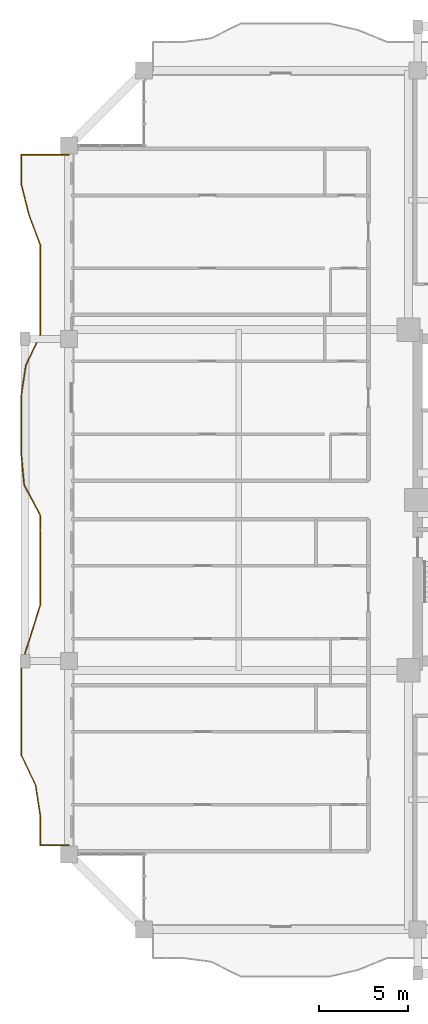
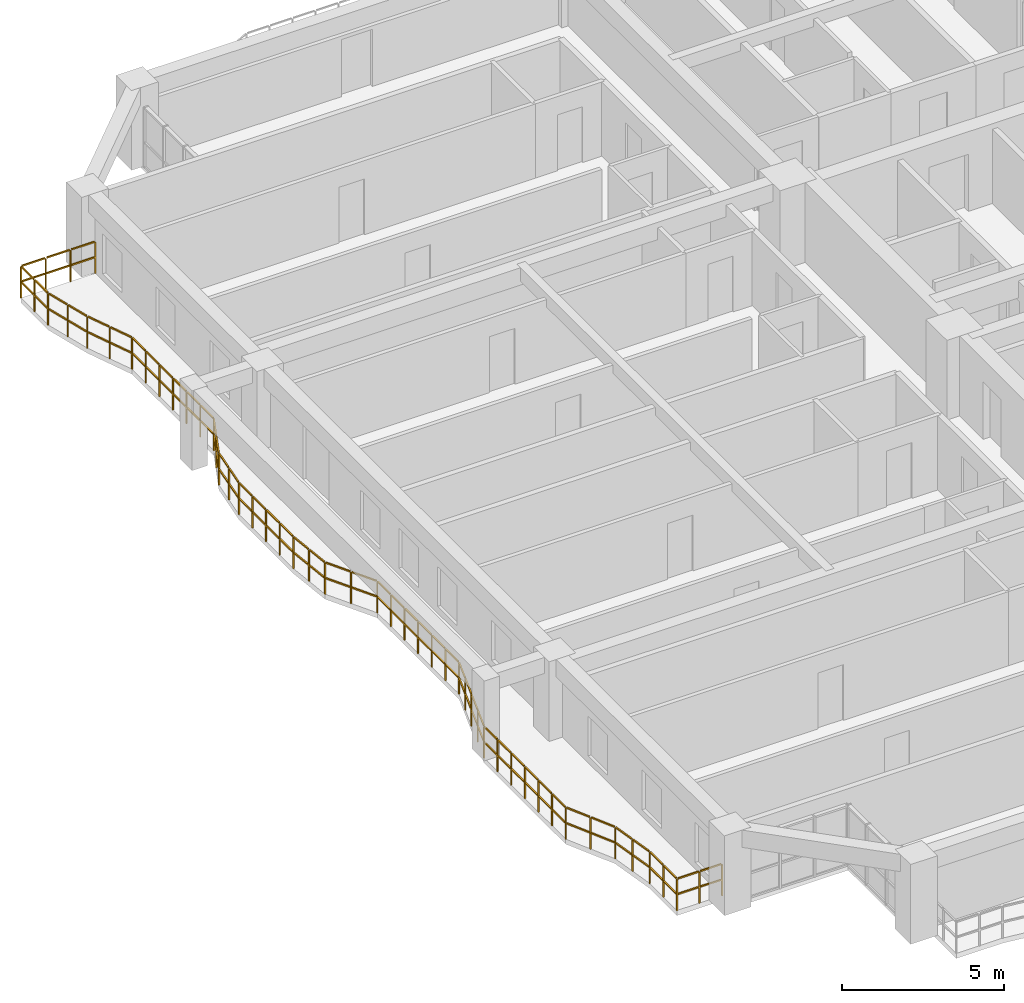
# One storey, part 22 of 25: 1 railing.
"""IFC4 building model written with IfcOpenShell, lengths in metres."""

from ifc_helpers import new_model, si_unit, direction, frame, origin, origin_2d, place, context, subcontext, project, spatial, rectangle, extrude, material, type_object, element, save


model = new_model("IFC4")

# Units and contexts
model_context = context("Model", 3, precision=1e-05, world=origin(), true_north=direction((0.0, 1.0)))
body_context = subcontext(model_context, "Body", "Model", "MODEL_VIEW")
ifc_project = project(units=[si_unit("LENGTHUNIT", "METRE"), si_unit("AREAUNIT", "SQUARE_METRE"), si_unit("VOLUMEUNIT", "CUBIC_METRE"), si_unit("PLANEANGLEUNIT", "RADIAN"), si_unit("MASSUNIT", "GRAM", prefix="KILO")], contexts=[model_context])

# Site, building, storey
site_placement = place(None, origin())
site = spatial("IfcSite", under=ifc_project, at=site_placement, CompositionType="ELEMENT")
building_placement = place(site_placement, origin())
building = spatial("IfcBuilding", under=site, at=building_placement, Name="Saelheon Loggia Tower", CompositionType="ELEMENT")
storey_placement = place(building_placement, frame((0.0, 0.0, 107.85009765625)))
storey = spatial("IfcBuildingStorey", under=building, at=storey_placement, Name="L34", CompositionType="ELEMENT", Elevation=107.85009765625)

# Railing
ifc_material = material(Name="Architectural Precast Concrete and Laminated Glass Guard", Category="concrete")
railing_type = type_object("IfcRailingType", Name="Guard_Loggia_RL_LOG", PredefinedType="BALUSTRADE", material=ifc_material)
railing_placement = place(storey_placement, frame((12.0, 46.300048828125, 0.0)))
element("IfcRailing", 1, at=railing_placement, inside=storey, type_object=railing_type, Name="L34 West Loggia Balustrade", PredefinedType="BALUSTRADE", context=body_context, shape_type="SweptSolid", body=[
    extrude(rectangle(XDim=0.048095703125, YDim=0.048095703125, at=origin_2d()), frame((-0.033203125, 0.0, 1.19580078125), z_axis=(-1.0, 0.0, 0.0), x_axis=(0.0, -1.0, 0.0)), (0.0, 0.0, 1.0), 0.81689453125),
    extrude(rectangle(XDim=0.048095703125, YDim=0.048095703125, at=origin_2d()), frame((-0.033203125, 0.0, 0.60986328125), z_axis=(-1.0, 0.0, 0.0), x_axis=(0.0, -1.0, 0.0)), (0.0, 0.0, 1.0), 0.81689453125),
    extrude(rectangle(XDim=0.048095703125, YDim=0.048095703125, at=origin_2d()), frame((-0.91650390625, 0.0, 1.19580078125), z_axis=(-1.0, 0.0, 0.0), x_axis=(0.0, -1.0, 0.0)), (0.0, 0.0, 1.0), 0.81689453125),
    extrude(rectangle(XDim=0.048095703125, YDim=0.048095703125, at=origin_2d()), frame((-0.91650390625, 0.0, 0.60986328125), z_axis=(-1.0, 0.0, 0.0), x_axis=(0.0, -1.0, 0.0)), (0.0, 0.0, 1.0), 0.81689453125),
    extrude(rectangle(XDim=0.048095703125, YDim=0.048095703125, at=origin_2d()), frame((-1.7998046875, 0.0, 1.19580078125), z_axis=(-1.0, 0.0, 0.0), x_axis=(0.0, -1.0, 0.0)), (0.0, 0.0, 1.0), 0.81689453125),
    extrude(rectangle(XDim=0.048095703125, YDim=0.048095703125, at=origin_2d()), frame((-1.7998046875, 0.0, 0.60986328125), z_axis=(-1.0, 0.0, 0.0), x_axis=(0.0, -1.0, 0.0)), (0.0, 0.0, 1.0), 0.81689453125),
    extrude(rectangle(XDim=0.048095703125, YDim=0.048095703125, at=origin_2d()), frame((-2.64990234375, -0.033203125, 1.19580078125), z_axis=(0.0, -1.0, 0.0), x_axis=(1.0, 0.0, 0.0)), (0.0, 0.0, 1.0), 0.772705078125),
    extrude(rectangle(XDim=0.048095703125, YDim=0.048095703125, at=origin_2d()), frame((-2.64990234375, -0.033203125, 0.60986328125), z_axis=(0.0, -1.0, 0.0), x_axis=(1.0, 0.0, 0.0)), (0.0, 0.0, 1.0), 0.772705078125),
    extrude(rectangle(XDim=0.048095703125, YDim=0.048095703125, at=origin_2d()), frame((-2.64990234375, -0.87255859375, 1.19580078125), z_axis=(0.0, -1.0, 0.0), x_axis=(1.0, 0.0, 0.0)), (0.0, 0.0, 1.0), 0.772705078125),
    extrude(rectangle(XDim=0.048095703125, YDim=0.048095703125, at=origin_2d()), frame((-2.64990234375, -0.87255859375, 0.60986328125), z_axis=(0.0, -1.0, 0.0), x_axis=(1.0, 0.0, 0.0)), (0.0, 0.0, 1.0), 0.772705078125),
    extrude(rectangle(XDim=0.048095703125, YDim=0.048095703125, at=origin_2d()), frame((-2.641845703125, -1.710693359375, 1.19580078125), z_axis=(0.243830259239, -0.969817923468, 0.0), x_axis=(0.969817923468, 0.243830259239, 0.0)), (0.0, 0.0, 1.0), 0.798583984375),
    extrude(rectangle(XDim=0.048095703125, YDim=0.048095703125, at=origin_2d()), frame((-2.641845703125, -1.710693359375, 0.60986328125), z_axis=(0.243830259239, -0.969817923468, 0.0), x_axis=(0.969817923468, 0.243830259239, 0.0)), (0.0, 0.0, 1.0), 0.798583984375),
    extrude(rectangle(XDim=0.048095703125, YDim=0.048095703125, at=origin_2d()), frame((-2.430908203125, -2.5498046875, 1.19580078125), z_axis=(0.243830259239, -0.969817923468, 0.0), x_axis=(0.969817923468, 0.243830259239, 0.0)), (0.0, 0.0, 1.0), 0.798583984375),
    extrude(rectangle(XDim=0.048095703125, YDim=0.048095703125, at=origin_2d()), frame((-2.430908203125, -2.5498046875, 0.60986328125), z_axis=(0.243830259239, -0.969817923468, 0.0), x_axis=(0.969817923468, 0.243830259239, 0.0)), (0.0, 0.0, 1.0), 0.798583984375),
    extrude(rectangle(XDim=0.048095703125, YDim=0.048095703125, at=origin_2d()), frame((-2.21630859375, -3.387451171875, 1.19580078125), z_axis=(0.350391780818, -0.936603224388, 0.0), x_axis=(0.936603224388, 0.350391780818, 0.0)), (0.0, 0.0, 1.0), 0.82958984375),
    extrude(rectangle(XDim=0.048095703125, YDim=0.048095703125, at=origin_2d()), frame((-2.21630859375, -3.387451171875, 0.60986328125), z_axis=(0.350391780818, -0.936603224388, 0.0), x_axis=(0.936603224388, 0.350391780818, 0.0)), (0.0, 0.0, 1.0), 0.82958984375),
    extrude(rectangle(XDim=0.048095703125, YDim=0.048095703125, at=origin_2d()), frame((-1.90234375, -4.226806640625, 1.19580078125), z_axis=(0.350391780818, -0.936603224388, 0.0), x_axis=(0.936603224388, 0.350391780818, 0.0)), (0.0, 0.0, 1.0), 0.82958984375),
    extrude(rectangle(XDim=0.048095703125, YDim=0.048095703125, at=origin_2d()), frame((-1.90234375, -4.226806640625, 0.60986328125), z_axis=(0.350391780818, -0.936603224388, 0.0), x_axis=(0.936603224388, 0.350391780818, 0.0)), (0.0, 0.0, 1.0), 0.82958984375),
    extrude(rectangle(XDim=0.048095703125, YDim=0.048095703125, at=origin_2d()), frame((-1.60009765625, -5.068115234375, 1.19580078125), z_axis=(0.0, -1.0, 0.0), x_axis=(1.0, 0.0, 0.0)), (0.0, 0.0, 1.0), 0.772705078125),
    extrude(rectangle(XDim=0.048095703125, YDim=0.048095703125, at=origin_2d()), frame((-1.60009765625, -5.068115234375, 0.60986328125), z_axis=(0.0, -1.0, 0.0), x_axis=(1.0, 0.0, 0.0)), (0.0, 0.0, 1.0), 0.772705078125),
    extrude(rectangle(XDim=0.048095703125, YDim=0.048095703125, at=origin_2d()), frame((-1.60009765625, -5.9072265625, 1.19580078125), z_axis=(0.0, -1.0, 0.0), x_axis=(1.0, 0.0, 0.0)), (0.0, 0.0, 1.0), 0.772705078125),
    extrude(rectangle(XDim=0.048095703125, YDim=0.048095703125, at=origin_2d()), frame((-1.60009765625, -5.9072265625, 0.60986328125), z_axis=(0.0, -1.0, 0.0), x_axis=(1.0, 0.0, 0.0)), (0.0, 0.0, 1.0), 0.772705078125),
    extrude(rectangle(XDim=0.048095703125, YDim=0.048095703125, at=origin_2d()), frame((-1.60009765625, -6.746337890625, 1.19580078125), z_axis=(0.0, -1.0, 0.0), x_axis=(1.0, 0.0, 0.0)), (0.0, 0.0, 1.0), 0.772705078125),
    extrude(rectangle(XDim=0.048095703125, YDim=0.048095703125, at=origin_2d()), frame((-1.60009765625, -6.746337890625, 0.60986328125), z_axis=(0.0, -1.0, 0.0), x_axis=(1.0, 0.0, 0.0)), (0.0, 0.0, 1.0), 0.772705078125),
    extrude(rectangle(XDim=0.048095703125, YDim=0.048095703125, at=origin_2d()), frame((-1.60009765625, -7.58544921875, 1.19580078125), z_axis=(0.0, -1.0, 0.0), x_axis=(1.0, 0.0, 0.0)), (0.0, 0.0, 1.0), 0.772705078125),
    extrude(rectangle(XDim=0.048095703125, YDim=0.048095703125, at=origin_2d()), frame((-1.60009765625, -7.58544921875, 0.60986328125), z_axis=(0.0, -1.0, 0.0), x_axis=(1.0, 0.0, 0.0)), (0.0, 0.0, 1.0), 0.772705078125),
    extrude(rectangle(XDim=0.048095703125, YDim=0.048095703125, at=origin_2d()), frame((-1.60009765625, -8.424560546875, 1.19580078125), z_axis=(0.0, -1.0, 0.0), x_axis=(1.0, 0.0, 0.0)), (0.0, 0.0, 1.0), 0.772705078125),
    extrude(rectangle(XDim=0.048095703125, YDim=0.048095703125, at=origin_2d()), frame((-1.60009765625, -8.424560546875, 0.60986328125), z_axis=(0.0, -1.0, 0.0), x_axis=(1.0, 0.0, 0.0)), (0.0, 0.0, 1.0), 0.772705078125),
    extrude(rectangle(XDim=0.048095703125, YDim=0.048095703125, at=origin_2d()), frame((-1.60009765625, -9.263671875, 1.19580078125), z_axis=(0.0, -1.0, 0.0), x_axis=(1.0, 0.0, 0.0)), (0.0, 0.0, 1.0), 0.772705078125),
    extrude(rectangle(XDim=0.048095703125, YDim=0.048095703125, at=origin_2d()), frame((-1.60009765625, -9.263671875, 0.60986328125), z_axis=(0.0, -1.0, 0.0), x_axis=(1.0, 0.0, 0.0)), (0.0, 0.0, 1.0), 0.772705078125),
    extrude(rectangle(XDim=0.048095703125, YDim=0.048095703125, at=origin_2d()), frame((-1.6142578125, -10.099609375, 1.19580078125), z_axis=(-0.42678516989, -0.904353038786, 0.0), x_axis=(0.904353038786, -0.42678516989, 0.0)), (0.0, 0.0, 1.0), 0.861328125),
    extrude(rectangle(XDim=0.048095703125, YDim=0.048095703125, at=origin_2d()), frame((-1.6142578125, -10.099609375, 0.60986328125), z_axis=(-0.42678516989, -0.904353038786, 0.0), x_axis=(0.904353038786, -0.42678516989, 0.0)), (0.0, 0.0, 1.0), 0.861328125),
    extrude(rectangle(XDim=0.048095703125, YDim=0.048095703125, at=origin_2d()), frame((-2.01025390625, -10.938720703125, 1.19580078125), z_axis=(-0.42678516989, -0.904353038786, 0.0), x_axis=(0.904353038786, -0.42678516989, 0.0)), (0.0, 0.0, 1.0), 0.861328125),
    extrude(rectangle(XDim=0.048095703125, YDim=0.048095703125, at=origin_2d()), frame((-2.01025390625, -10.938720703125, 0.60986328125), z_axis=(-0.42678516989, -0.904353038786, 0.0), x_axis=(0.904353038786, -0.42678516989, 0.0)), (0.0, 0.0, 1.0), 0.861328125),
    extrude(rectangle(XDim=0.048095703125, YDim=0.048095703125, at=origin_2d()), frame((-2.397216796875, -11.78076171875, 1.19580078125), z_axis=(-0.151819504814, -0.988408234465, 0.0), x_axis=(0.988408234465, -0.151819504814, 0.0)), (0.0, 0.0, 1.0), 0.78271484375),
    extrude(rectangle(XDim=0.048095703125, YDim=0.048095703125, at=origin_2d()), frame((-2.397216796875, -11.78076171875, 0.60986328125), z_axis=(-0.151819504814, -0.988408234465, 0.0), x_axis=(0.988408234465, -0.151819504814, 0.0)), (0.0, 0.0, 1.0), 0.78271484375),
    extrude(rectangle(XDim=0.048095703125, YDim=0.048095703125, at=origin_2d()), frame((-2.526123046875, -12.619873046875, 1.19580078125), z_axis=(-0.151819504814, -0.988408234465, 0.0), x_axis=(0.988408234465, -0.151819504814, 0.0)), (0.0, 0.0, 1.0), 0.78271484375),
    extrude(rectangle(XDim=0.048095703125, YDim=0.048095703125, at=origin_2d()), frame((-2.526123046875, -12.619873046875, 0.60986328125), z_axis=(-0.151819504814, -0.988408234465, 0.0), x_axis=(0.988408234465, -0.151819504814, 0.0)), (0.0, 0.0, 1.0), 0.78271484375),
    extrude(rectangle(XDim=0.048095703125, YDim=0.048095703125, at=origin_2d()), frame((-2.64990234375, -13.45947265625, 1.19580078125), z_axis=(0.0, -1.0, 0.0), x_axis=(1.0, 0.0, 0.0)), (0.0, 0.0, 1.0), 0.7724609375),
    extrude(rectangle(XDim=0.048095703125, YDim=0.048095703125, at=origin_2d()), frame((-2.64990234375, -13.45947265625, 0.60986328125), z_axis=(0.0, -1.0, 0.0), x_axis=(1.0, 0.0, 0.0)), (0.0, 0.0, 1.0), 0.7724609375),
    extrude(rectangle(XDim=0.048095703125, YDim=0.048095703125, at=origin_2d()), frame((-2.64990234375, -14.298583984375, 1.19580078125), z_axis=(0.0, -1.0, 0.0), x_axis=(1.0, 0.0, 0.0)), (0.0, 0.0, 1.0), 0.7724609375),
    extrude(rectangle(XDim=0.048095703125, YDim=0.048095703125, at=origin_2d()), frame((-2.64990234375, -14.298583984375, 0.60986328125), z_axis=(0.0, -1.0, 0.0), x_axis=(1.0, 0.0, 0.0)), (0.0, 0.0, 1.0), 0.7724609375),
    extrude(rectangle(XDim=0.048095703125, YDim=0.048095703125, at=origin_2d()), frame((-2.64990234375, -15.137451171875, 1.19580078125), z_axis=(0.0, -1.0, 0.0), x_axis=(1.0, 0.0, 0.0)), (0.0, 0.0, 1.0), 0.772705078125),
    extrude(rectangle(XDim=0.048095703125, YDim=0.048095703125, at=origin_2d()), frame((-2.64990234375, -15.137451171875, 0.60986328125), z_axis=(0.0, -1.0, 0.0), x_axis=(1.0, 0.0, 0.0)), (0.0, 0.0, 1.0), 0.772705078125),
    extrude(rectangle(XDim=0.048095703125, YDim=0.048095703125, at=origin_2d()), frame((-2.64990234375, -15.976806640625, 1.19580078125), z_axis=(0.0, -1.0, 0.0), x_axis=(1.0, 0.0, 0.0)), (0.0, 0.0, 1.0), 0.772705078125),
    extrude(rectangle(XDim=0.048095703125, YDim=0.048095703125, at=origin_2d()), frame((-2.64990234375, -15.976806640625, 0.60986328125), z_axis=(0.0, -1.0, 0.0), x_axis=(1.0, 0.0, 0.0)), (0.0, 0.0, 1.0), 0.772705078125),
    extrude(rectangle(XDim=0.048095703125, YDim=0.048095703125, at=origin_2d()), frame((-2.646728515625, -16.81591796875, 1.19580078125), z_axis=(0.092703521138, -0.995693756719, 0.0), x_axis=(0.995693756719, 0.092703521138, 0.0)), (0.0, 0.0, 1.0), 0.7763671875),
    extrude(rectangle(XDim=0.048095703125, YDim=0.048095703125, at=origin_2d()), frame((-2.646728515625, -16.81591796875, 0.60986328125), z_axis=(0.092703521138, -0.995693756719, 0.0), x_axis=(0.995693756719, 0.092703521138, 0.0)), (0.0, 0.0, 1.0), 0.7763671875),
    extrude(rectangle(XDim=0.048095703125, YDim=0.048095703125, at=origin_2d()), frame((-2.568603515625, -17.655029296875, 1.19580078125), z_axis=(0.092703521138, -0.995693756719, 0.0), x_axis=(0.995693756719, 0.092703521138, 0.0)), (0.0, 0.0, 1.0), 0.7763671875),
    extrude(rectangle(XDim=0.048095703125, YDim=0.048095703125, at=origin_2d()), frame((-2.568603515625, -17.655029296875, 0.60986328125), z_axis=(0.092703521138, -0.995693756719, 0.0), x_axis=(0.995693756719, 0.092703521138, 0.0)), (0.0, 0.0, 1.0), 0.7763671875),
    extrude(rectangle(XDim=0.048095703125, YDim=0.048095703125, at=origin_2d()), frame((-2.47802734375, -18.490234375, 1.19580078125), z_axis=(0.469474503482, -0.882946029257, 0.0), x_axis=(0.882946029257, 0.469474503482, 0.0)), (0.0, 0.0, 1.0), 0.8837890625),
    extrude(rectangle(XDim=0.048095703125, YDim=0.048095703125, at=origin_2d()), frame((-2.47802734375, -18.490234375, 0.60986328125), z_axis=(0.469474503482, -0.882946029257, 0.0), x_axis=(0.882946029257, 0.469474503482, 0.0)), (0.0, 0.0, 1.0), 0.8837890625),
    extrude(rectangle(XDim=0.048095703125, YDim=0.048095703125, at=origin_2d()), frame((-2.031982421875, -19.329345703125, 1.19580078125), z_axis=(0.469474503482, -0.882946029257, 0.0), x_axis=(0.882946029257, 0.469474503482, 0.0)), (0.0, 0.0, 1.0), 0.8837890625),
    extrude(rectangle(XDim=0.048095703125, YDim=0.048095703125, at=origin_2d()), frame((-2.031982421875, -19.329345703125, 0.60986328125), z_axis=(0.469474503482, -0.882946029257, 0.0), x_axis=(0.882946029257, 0.469474503482, 0.0)), (0.0, 0.0, 1.0), 0.8837890625),
    extrude(rectangle(XDim=0.048095703125, YDim=0.048095703125, at=origin_2d()), frame((-1.601318359375, -20.17236328125, 1.19580078125), z_axis=(0.000727378335, -0.99999973546, 0.0), x_axis=(0.99999973546, 0.000727378335, 0.0)), (0.0, 0.0, 1.0), 0.772705078125),
    extrude(rectangle(XDim=0.048095703125, YDim=0.048095703125, at=origin_2d()), frame((-1.601318359375, -20.17236328125, 0.60986328125), z_axis=(0.000727378335, -0.99999973546, 0.0), x_axis=(0.99999973546, 0.000727378335, 0.0)), (0.0, 0.0, 1.0), 0.772705078125),
    extrude(rectangle(XDim=0.048095703125, YDim=0.048095703125, at=origin_2d()), frame((-1.6005859375, -21.011474609375, 1.19580078125), z_axis=(0.000727378335, -0.99999973546, 0.0), x_axis=(0.99999973546, 0.000727378335, 0.0)), (0.0, 0.0, 1.0), 0.772705078125),
    extrude(rectangle(XDim=0.048095703125, YDim=0.048095703125, at=origin_2d()), frame((-1.6005859375, -21.011474609375, 0.60986328125), z_axis=(0.000727378335, -0.99999973546, 0.0), x_axis=(0.99999973546, 0.000727378335, 0.0)), (0.0, 0.0, 1.0), 0.772705078125),
    extrude(rectangle(XDim=0.048095703125, YDim=0.048095703125, at=origin_2d()), frame((-1.60009765625, -21.8505859375, 1.19580078125), z_axis=(0.0, -1.0, 0.0), x_axis=(1.0, 0.0, 0.0)), (0.0, 0.0, 1.0), 0.772705078125),
    extrude(rectangle(XDim=0.048095703125, YDim=0.048095703125, at=origin_2d()), frame((-1.60009765625, -21.8505859375, 0.60986328125), z_axis=(0.0, -1.0, 0.0), x_axis=(1.0, 0.0, 0.0)), (0.0, 0.0, 1.0), 0.772705078125),
    extrude(rectangle(XDim=0.048095703125, YDim=0.048095703125, at=origin_2d()), frame((-1.60009765625, -22.68994140625, 1.19580078125), z_axis=(0.0, -1.0, 0.0), x_axis=(1.0, 0.0, 0.0)), (0.0, 0.0, 1.0), 0.772705078125),
    extrude(rectangle(XDim=0.048095703125, YDim=0.048095703125, at=origin_2d()), frame((-1.60009765625, -22.68994140625, 0.60986328125), z_axis=(0.0, -1.0, 0.0), x_axis=(1.0, 0.0, 0.0)), (0.0, 0.0, 1.0), 0.772705078125),
    extrude(rectangle(XDim=0.048095703125, YDim=0.048095703125, at=origin_2d()), frame((-1.60009765625, -23.529052734375, 1.19580078125), z_axis=(0.0, -1.0, 0.0), x_axis=(1.0, 0.0, 0.0)), (0.0, 0.0, 1.0), 0.7724609375),
    extrude(rectangle(XDim=0.048095703125, YDim=0.048095703125, at=origin_2d()), frame((-1.60009765625, -23.529052734375, 0.60986328125), z_axis=(0.0, -1.0, 0.0), x_axis=(1.0, 0.0, 0.0)), (0.0, 0.0, 1.0), 0.7724609375),
    extrude(rectangle(XDim=0.048095703125, YDim=0.048095703125, at=origin_2d()), frame((-1.60009765625, -24.3681640625, 1.19580078125), z_axis=(0.0, -1.0, 0.0), x_axis=(1.0, 0.0, 0.0)), (0.0, 0.0, 1.0), 0.7724609375),
    extrude(rectangle(XDim=0.048095703125, YDim=0.048095703125, at=origin_2d()), frame((-1.60009765625, -24.3681640625, 0.60986328125), z_axis=(0.0, -1.0, 0.0), x_axis=(1.0, 0.0, 0.0)), (0.0, 0.0, 1.0), 0.7724609375),
    extrude(rectangle(XDim=0.048095703125, YDim=0.048095703125, at=origin_2d()), frame((-1.610107421875, -25.20556640625, 1.19580078125), z_axis=(-0.297966647273, -0.954576281453, 0.0), x_axis=(0.954576281453, -0.297966647273, 0.0)), (0.0, 0.0, 1.0), 0.812744140625),
    extrude(rectangle(XDim=0.048095703125, YDim=0.048095703125, at=origin_2d()), frame((-1.610107421875, -25.20556640625, 0.60986328125), z_axis=(-0.297966647273, -0.954576281453, 0.0), x_axis=(0.954576281453, -0.297966647273, 0.0)), (0.0, 0.0, 1.0), 0.812744140625),
    extrude(rectangle(XDim=0.048095703125, YDim=0.048095703125, at=origin_2d()), frame((-1.8720703125, -26.044677734375, 1.19580078125), z_axis=(-0.297966647273, -0.954576281453, 0.0), x_axis=(0.954576281453, -0.297966647273, 0.0)), (0.0, 0.0, 1.0), 0.812744140625),
    extrude(rectangle(XDim=0.048095703125, YDim=0.048095703125, at=origin_2d()), frame((-1.8720703125, -26.044677734375, 0.60986328125), z_axis=(-0.297966647273, -0.954576281453, 0.0), x_axis=(0.954576281453, -0.297966647273, 0.0)), (0.0, 0.0, 1.0), 0.812744140625),
    extrude(rectangle(XDim=0.048095703125, YDim=0.048095703125, at=origin_2d()), frame((-2.134033203125, -26.884033203125, 1.19580078125), z_axis=(-0.299017909957, -0.954247499093, 0.0), x_axis=(0.954247499093, -0.299017909957, 0.0)), (0.0, 0.0, 1.0), 0.81298828125),
    extrude(rectangle(XDim=0.048095703125, YDim=0.048095703125, at=origin_2d()), frame((-2.134033203125, -26.884033203125, 0.60986328125), z_axis=(-0.299017909957, -0.954247499093, 0.0), x_axis=(0.954247499093, -0.299017909957, 0.0)), (0.0, 0.0, 1.0), 0.81298828125),
    extrude(rectangle(XDim=0.048095703125, YDim=0.048095703125, at=origin_2d()), frame((-2.39697265625, -27.72314453125, 1.19580078125), z_axis=(-0.299017909957, -0.954247499093, 0.0), x_axis=(0.954247499093, -0.299017909957, 0.0)), (0.0, 0.0, 1.0), 0.81298828125),
    extrude(rectangle(XDim=0.048095703125, YDim=0.048095703125, at=origin_2d()), frame((-2.39697265625, -27.72314453125, 0.60986328125), z_axis=(-0.299017909957, -0.954247499093, 0.0), x_axis=(0.954247499093, -0.299017909957, 0.0)), (0.0, 0.0, 1.0), 0.81298828125),
    extrude(rectangle(XDim=0.048095703125, YDim=0.048095703125, at=origin_2d()), frame((-2.64990234375, -28.563720703125, 1.19580078125), z_axis=(0.0, -1.0, 0.0), x_axis=(1.0, 0.0, 0.0)), (0.0, 0.0, 1.0), 0.772705078125),
    extrude(rectangle(XDim=0.048095703125, YDim=0.048095703125, at=origin_2d()), frame((-2.64990234375, -28.563720703125, 0.60986328125), z_axis=(0.0, -1.0, 0.0), x_axis=(1.0, 0.0, 0.0)), (0.0, 0.0, 1.0), 0.772705078125),
    extrude(rectangle(XDim=0.048095703125, YDim=0.048095703125, at=origin_2d()), frame((-2.64990234375, -29.40283203125, 1.19580078125), z_axis=(0.0, -1.0, 0.0), x_axis=(1.0, 0.0, 0.0)), (0.0, 0.0, 1.0), 0.772705078125),
    extrude(rectangle(XDim=0.048095703125, YDim=0.048095703125, at=origin_2d()), frame((-2.64990234375, -29.40283203125, 0.60986328125), z_axis=(0.0, -1.0, 0.0), x_axis=(1.0, 0.0, 0.0)), (0.0, 0.0, 1.0), 0.772705078125),
    extrude(rectangle(XDim=0.048095703125, YDim=0.048095703125, at=origin_2d()), frame((-2.64990234375, -30.241943359375, 1.19580078125), z_axis=(0.0, -1.0, 0.0), x_axis=(1.0, 0.0, 0.0)), (0.0, 0.0, 1.0), 0.772705078125),
    extrude(rectangle(XDim=0.048095703125, YDim=0.048095703125, at=origin_2d()), frame((-2.64990234375, -30.241943359375, 0.60986328125), z_axis=(0.0, -1.0, 0.0), x_axis=(1.0, 0.0, 0.0)), (0.0, 0.0, 1.0), 0.772705078125),
    extrude(rectangle(XDim=0.048095703125, YDim=0.048095703125, at=origin_2d()), frame((-2.64990234375, -31.0810546875, 1.19580078125), z_axis=(0.0, -1.0, 0.0), x_axis=(1.0, 0.0, 0.0)), (0.0, 0.0, 1.0), 0.772705078125),
    extrude(rectangle(XDim=0.048095703125, YDim=0.048095703125, at=origin_2d()), frame((-2.64990234375, -31.0810546875, 0.60986328125), z_axis=(0.0, -1.0, 0.0), x_axis=(1.0, 0.0, 0.0)), (0.0, 0.0, 1.0), 0.772705078125),
    extrude(rectangle(XDim=0.048095703125, YDim=0.048095703125, at=origin_2d()), frame((-2.64990234375, -31.920166015625, 1.19580078125), z_axis=(0.0, -1.0, 0.0), x_axis=(1.0, 0.0, 0.0)), (0.0, 0.0, 1.0), 0.772705078125),
    extrude(rectangle(XDim=0.048095703125, YDim=0.048095703125, at=origin_2d()), frame((-2.64990234375, -31.920166015625, 0.60986328125), z_axis=(0.0, -1.0, 0.0), x_axis=(1.0, 0.0, 0.0)), (0.0, 0.0, 1.0), 0.772705078125),
    extrude(rectangle(XDim=0.048095703125, YDim=0.048095703125, at=origin_2d()), frame((-2.64990234375, -32.75927734375, 1.19580078125), z_axis=(0.0, -1.0, 0.0), x_axis=(1.0, 0.0, 0.0)), (0.0, 0.0, 1.0), 0.772705078125),
    extrude(rectangle(XDim=0.048095703125, YDim=0.048095703125, at=origin_2d()), frame((-2.64990234375, -32.75927734375, 0.60986328125), z_axis=(0.0, -1.0, 0.0), x_axis=(1.0, 0.0, 0.0)), (0.0, 0.0, 1.0), 0.772705078125),
    extrude(rectangle(XDim=0.048095703125, YDim=0.048095703125, at=origin_2d()), frame((-2.6357421875, -33.59521484375, 1.19580078125), z_axis=(0.427272125585, -0.90412307276, 0.0), x_axis=(0.90412307276, 0.427272125585, 0.0)), (0.0, 0.0, 1.0), 0.86181640625),
    extrude(rectangle(XDim=0.048095703125, YDim=0.048095703125, at=origin_2d()), frame((-2.6357421875, -33.59521484375, 0.60986328125), z_axis=(0.427272125585, -0.90412307276, 0.0), x_axis=(0.90412307276, 0.427272125585, 0.0)), (0.0, 0.0, 1.0), 0.86181640625),
    extrude(rectangle(XDim=0.048095703125, YDim=0.048095703125, at=origin_2d()), frame((-2.239013671875, -34.4345703125, 1.19580078125), z_axis=(0.427272125585, -0.90412307276, 0.0), x_axis=(0.90412307276, 0.427272125585, 0.0)), (0.0, 0.0, 1.0), 0.86181640625),
    extrude(rectangle(XDim=0.048095703125, YDim=0.048095703125, at=origin_2d()), frame((-2.239013671875, -34.4345703125, 0.60986328125), z_axis=(0.427272125585, -0.90412307276, 0.0), x_axis=(0.90412307276, 0.427272125585, 0.0)), (0.0, 0.0, 1.0), 0.86181640625),
    extrude(rectangle(XDim=0.048095703125, YDim=0.048095703125, at=origin_2d()), frame((-1.8515625, -35.276611328125, 1.19580078125), z_axis=(0.15116008587, -0.988509296082, 0.0), x_axis=(0.988509296082, 0.15116008587, 0.0)), (0.0, 0.0, 1.0), 0.7822265625),
    extrude(rectangle(XDim=0.048095703125, YDim=0.048095703125, at=origin_2d()), frame((-1.8515625, -35.276611328125, 0.60986328125), z_axis=(0.15116008587, -0.988509296082, 0.0), x_axis=(0.988509296082, 0.15116008587, 0.0)), (0.0, 0.0, 1.0), 0.7822265625),
    extrude(rectangle(XDim=0.048095703125, YDim=0.048095703125, at=origin_2d()), frame((-1.723388671875, -36.115478515625, 1.19580078125), z_axis=(0.15116008587, -0.988509296082, 0.0), x_axis=(0.988509296082, 0.15116008587, 0.0)), (0.0, 0.0, 1.0), 0.7822265625),
    extrude(rectangle(XDim=0.048095703125, YDim=0.048095703125, at=origin_2d()), frame((-1.723388671875, -36.115478515625, 0.60986328125), z_axis=(0.15116008587, -0.988509296082, 0.0), x_axis=(0.988509296082, 0.15116008587, 0.0)), (0.0, 0.0, 1.0), 0.7822265625),
    extrude(rectangle(XDim=0.048095703125, YDim=0.048095703125, at=origin_2d()), frame((-1.60009765625, -36.954833984375, 1.19580078125), z_axis=(0.0, -1.0, 0.0), x_axis=(1.0, 0.0, 0.0)), (0.0, 0.0, 1.0), 0.772705078125),
    extrude(rectangle(XDim=0.048095703125, YDim=0.048095703125, at=origin_2d()), frame((-1.60009765625, -36.954833984375, 0.60986328125), z_axis=(0.0, -1.0, 0.0), x_axis=(1.0, 0.0, 0.0)), (0.0, 0.0, 1.0), 0.772705078125),
    extrude(rectangle(XDim=0.048095703125, YDim=0.048095703125, at=origin_2d()), frame((-1.60009765625, -37.794189453125, 1.19580078125), z_axis=(0.0, -1.0, 0.0), x_axis=(1.0, 0.0, 0.0)), (0.0, 0.0, 1.0), 0.772705078125),
    extrude(rectangle(XDim=0.048095703125, YDim=0.048095703125, at=origin_2d()), frame((-1.60009765625, -37.794189453125, 0.60986328125), z_axis=(0.0, -1.0, 0.0), x_axis=(1.0, 0.0, 0.0)), (0.0, 0.0, 1.0), 0.772705078125),
    extrude(rectangle(XDim=0.048095703125, YDim=0.048095703125, at=origin_2d()), frame((-1.56689453125, -38.60009765625, 1.19580078125), z_axis=(1.0, 0.0, 0.0), x_axis=(0.0, 1.0, 0.0)), (0.0, 0.0, 1.0), 0.733642578125),
    extrude(rectangle(XDim=0.048095703125, YDim=0.048095703125, at=origin_2d()), frame((-1.56689453125, -38.60009765625, 0.60986328125), z_axis=(1.0, 0.0, 0.0), x_axis=(0.0, 1.0, 0.0)), (0.0, 0.0, 1.0), 0.733642578125),
    extrude(rectangle(XDim=0.048095703125, YDim=0.048095703125, at=origin_2d()), frame((-0.766845703125, -38.60009765625, 1.19580078125), z_axis=(1.0, 0.0, 0.0), x_axis=(0.0, 1.0, 0.0)), (0.0, 0.0, 1.0), 0.733642578125),
    extrude(rectangle(XDim=0.048095703125, YDim=0.048095703125, at=origin_2d()), frame((-0.766845703125, -38.60009765625, 0.60986328125), z_axis=(1.0, 0.0, 0.0), x_axis=(0.0, 1.0, 0.0)), (0.0, 0.0, 1.0), 0.733642578125),
    extrude(rectangle(XDim=0.0419921875, YDim=0.0419921875, at=origin_2d()), origin(), (0.0, 0.0, 1.0), 1.16796875),
    extrude(rectangle(XDim=0.0419921875, YDim=0.0419921875, at=origin_2d()), frame((-0.88330078125, 0.0, 0.0)), (0.0, 0.0, 1.0), 1.16796875),
    extrude(rectangle(XDim=0.0419921875, YDim=0.0419921875, at=origin_2d()), frame((-1.7666015625, 0.0, 0.0)), (0.0, 0.0, 1.0), 1.16796875),
    extrude(rectangle(XDim=0.0419921875, YDim=0.0419921875, at=origin_2d()), frame((-2.64990234375, 0.0, 0.0)), (0.0, 0.0, 1.0), 1.16796875),
    extrude(rectangle(XDim=0.0419921875, YDim=0.0419921875, at=origin_2d()), frame((-2.64990234375, -0.83935546875, 0.0)), (0.0, 0.0, 1.0), 1.16796875),
    extrude(rectangle(XDim=0.0419921875, YDim=0.0419921875, at=origin_2d()), frame((-2.64990234375, -1.678466796875, 0.0)), (0.0, 0.0, 1.0), 1.16796875),
    extrude(rectangle(XDim=0.0419921875, YDim=0.0419921875, at=origin_2d()), frame((-2.43896484375, -2.517578125, 0.0)), (0.0, 0.0, 1.0), 1.16796875),
    extrude(rectangle(XDim=0.0419921875, YDim=0.0419921875, at=origin_2d()), frame((-2.22802734375, -3.3564453125, 0.0)), (0.0, 0.0, 1.0), 1.16796875),
    extrude(rectangle(XDim=0.0419921875, YDim=0.0419921875, at=origin_2d()), frame((-1.9140625, -4.19580078125, 0.0)), (0.0, 0.0, 1.0), 1.16796875),
    extrude(rectangle(XDim=0.0419921875, YDim=0.0419921875, at=origin_2d()), frame((-1.60009765625, -5.034912109375, 0.0)), (0.0, 0.0, 1.0), 1.16796875),
    extrude(rectangle(XDim=0.0419921875, YDim=0.0419921875, at=origin_2d()), frame((-1.60009765625, -5.8740234375, 0.0)), (0.0, 0.0, 1.0), 1.16796875),
    extrude(rectangle(XDim=0.0419921875, YDim=0.0419921875, at=origin_2d()), frame((-1.60009765625, -6.713134765625, 0.0)), (0.0, 0.0, 1.0), 1.16796875),
    extrude(rectangle(XDim=0.0419921875, YDim=0.0419921875, at=origin_2d()), frame((-1.60009765625, -7.55224609375, 0.0)), (0.0, 0.0, 1.0), 1.16796875),
    extrude(rectangle(XDim=0.0419921875, YDim=0.0419921875, at=origin_2d()), frame((-1.60009765625, -8.391357421875, 0.0)), (0.0, 0.0, 1.0), 1.16796875),
    extrude(rectangle(XDim=0.0419921875, YDim=0.0419921875, at=origin_2d()), frame((-1.60009765625, -9.23046875, 0.0)), (0.0, 0.0, 1.0), 1.16796875),
    extrude(rectangle(XDim=0.0419921875, YDim=0.0419921875, at=origin_2d()), frame((-1.60009765625, -10.069580078125, 0.0)), (0.0, 0.0, 1.0), 1.16796875),
    extrude(rectangle(XDim=0.0419921875, YDim=0.0419921875, at=origin_2d()), frame((-1.99609375, -10.90869140625, 0.0)), (0.0, 0.0, 1.0), 1.16796875),
    extrude(rectangle(XDim=0.0419921875, YDim=0.0419921875, at=origin_2d()), frame((-2.39208984375, -11.747802734375, 0.0)), (0.0, 0.0, 1.0), 1.16796875),
    extrude(rectangle(XDim=0.0419921875, YDim=0.0419921875, at=origin_2d()), frame((-2.52099609375, -12.5869140625, 0.0)), (0.0, 0.0, 1.0), 1.16796875),
    extrude(rectangle(XDim=0.0419921875, YDim=0.0419921875, at=origin_2d()), frame((-2.64990234375, -13.42626953125, 0.0)), (0.0, 0.0, 1.0), 1.16796875),
    extrude(rectangle(XDim=0.0419921875, YDim=0.0419921875, at=origin_2d()), frame((-2.64990234375, -14.26513671875, 0.0)), (0.0, 0.0, 1.0), 1.16796875),
    extrude(rectangle(XDim=0.0419921875, YDim=0.0419921875, at=origin_2d()), frame((-2.64990234375, -15.104248046875, 0.0)), (0.0, 0.0, 1.0), 1.16796875),
    extrude(rectangle(XDim=0.0419921875, YDim=0.0419921875, at=origin_2d()), frame((-2.64990234375, -15.943359375, 0.0)), (0.0, 0.0, 1.0), 1.16796875),
    extrude(rectangle(XDim=0.0419921875, YDim=0.0419921875, at=origin_2d()), frame((-2.64990234375, -16.78271484375, 0.0)), (0.0, 0.0, 1.0), 1.16796875),
    extrude(rectangle(XDim=0.0419921875, YDim=0.0419921875, at=origin_2d()), frame((-2.57177734375, -17.621826171875, 0.0)), (0.0, 0.0, 1.0), 1.16796875),
    extrude(rectangle(XDim=0.0419921875, YDim=0.0419921875, at=origin_2d()), frame((-2.49365234375, -18.4609375, 0.0)), (0.0, 0.0, 1.0), 1.16796875),
    extrude(rectangle(XDim=0.0419921875, YDim=0.0419921875, at=origin_2d()), frame((-2.04736328125, -19.300048828125, 0.0)), (0.0, 0.0, 1.0), 1.16796875),
    extrude(rectangle(XDim=0.0419921875, YDim=0.0419921875, at=origin_2d()), frame((-1.601318359375, -20.13916015625, 0.0)), (0.0, 0.0, 1.0), 1.16796875),
    extrude(rectangle(XDim=0.0419921875, YDim=0.0419921875, at=origin_2d()), frame((-1.6005859375, -20.978271484375, 0.0)), (0.0, 0.0, 1.0), 1.16796875),
    extrude(rectangle(XDim=0.0419921875, YDim=0.0419921875, at=origin_2d()), frame((-1.60009765625, -21.8173828125, 0.0)), (0.0, 0.0, 1.0), 1.16796875),
    extrude(rectangle(XDim=0.0419921875, YDim=0.0419921875, at=origin_2d()), frame((-1.60009765625, -22.65673828125, 0.0)), (0.0, 0.0, 1.0), 1.16796875),
    extrude(rectangle(XDim=0.0419921875, YDim=0.0419921875, at=origin_2d()), frame((-1.60009765625, -23.495849609375, 0.0)), (0.0, 0.0, 1.0), 1.16796875),
    extrude(rectangle(XDim=0.0419921875, YDim=0.0419921875, at=origin_2d()), frame((-1.60009765625, -24.3349609375, 0.0)), (0.0, 0.0, 1.0), 1.16796875),
    extrude(rectangle(XDim=0.0419921875, YDim=0.0419921875, at=origin_2d()), frame((-1.60009765625, -25.173828125, 0.0)), (0.0, 0.0, 1.0), 1.16796875),
    extrude(rectangle(XDim=0.0419921875, YDim=0.0419921875, at=origin_2d()), frame((-1.862060546875, -26.01318359375, 0.0)), (0.0, 0.0, 1.0), 1.16796875),
    extrude(rectangle(XDim=0.0419921875, YDim=0.0419921875, at=origin_2d()), frame((-2.1240234375, -26.852294921875, 0.0)), (0.0, 0.0, 1.0), 1.16796875),
    extrude(rectangle(XDim=0.0419921875, YDim=0.0419921875, at=origin_2d()), frame((-2.386962890625, -27.69140625, 0.0)), (0.0, 0.0, 1.0), 1.16796875),
    extrude(rectangle(XDim=0.0419921875, YDim=0.0419921875, at=origin_2d()), frame((-2.64990234375, -28.530517578125, 0.0)), (0.0, 0.0, 1.0), 1.16796875),
    extrude(rectangle(XDim=0.0419921875, YDim=0.0419921875, at=origin_2d()), frame((-2.64990234375, -29.36962890625, 0.0)), (0.0, 0.0, 1.0), 1.16796875),
    extrude(rectangle(XDim=0.0419921875, YDim=0.0419921875, at=origin_2d()), frame((-2.64990234375, -30.208740234375, 0.0)), (0.0, 0.0, 1.0), 1.16796875),
    extrude(rectangle(XDim=0.0419921875, YDim=0.0419921875, at=origin_2d()), frame((-2.64990234375, -31.0478515625, 0.0)), (0.0, 0.0, 1.0), 1.16796875),
    extrude(rectangle(XDim=0.0419921875, YDim=0.0419921875, at=origin_2d()), frame((-2.64990234375, -31.886962890625, 0.0)), (0.0, 0.0, 1.0), 1.16796875),
    extrude(rectangle(XDim=0.0419921875, YDim=0.0419921875, at=origin_2d()), frame((-2.64990234375, -32.72607421875, 0.0)), (0.0, 0.0, 1.0), 1.16796875),
    extrude(rectangle(XDim=0.0419921875, YDim=0.0419921875, at=origin_2d()), frame((-2.64990234375, -33.565185546875, 0.0)), (0.0, 0.0, 1.0), 1.16796875),
    extrude(rectangle(XDim=0.0419921875, YDim=0.0419921875, at=origin_2d()), frame((-2.25341796875, -34.404296875, 0.0)), (0.0, 0.0, 1.0), 1.16796875),
    extrude(rectangle(XDim=0.0419921875, YDim=0.0419921875, at=origin_2d()), frame((-1.856689453125, -35.24365234375, 0.0)), (0.0, 0.0, 1.0), 1.16796875),
    extrude(rectangle(XDim=0.0419921875, YDim=0.0419921875, at=origin_2d()), frame((-1.728515625, -36.08251953125, 0.0)), (0.0, 0.0, 1.0), 1.16796875),
    extrude(rectangle(XDim=0.0419921875, YDim=0.0419921875, at=origin_2d()), frame((-1.60009765625, -36.921630859375, 0.0)), (0.0, 0.0, 1.0), 1.16796875),
    extrude(rectangle(XDim=0.0419921875, YDim=0.0419921875, at=origin_2d()), frame((-1.60009765625, -37.7607421875, 0.0)), (0.0, 0.0, 1.0), 1.16796875),
    extrude(rectangle(XDim=0.0419921875, YDim=0.0419921875, at=origin_2d()), frame((-1.60009765625, -38.60009765625, 0.0)), (0.0, 0.0, 1.0), 1.16796875),
    extrude(rectangle(XDim=0.0419921875, YDim=0.0419921875, at=origin_2d()), frame((-0.800048828125, -38.60009765625, 0.0)), (0.0, 0.0, 1.0), 1.16796875),
    extrude(rectangle(XDim=0.0419921875, YDim=0.0419921875, at=origin_2d()), frame((0.0, -38.60009765625, 0.0)), (0.0, 0.0, 1.0), 1.16796875),
])

save(model, "model.ifc")
